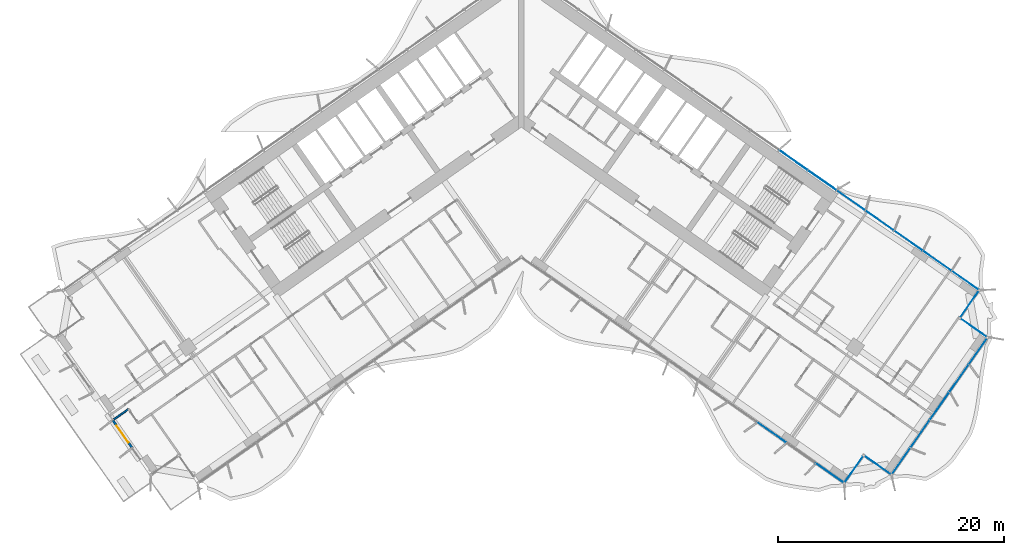
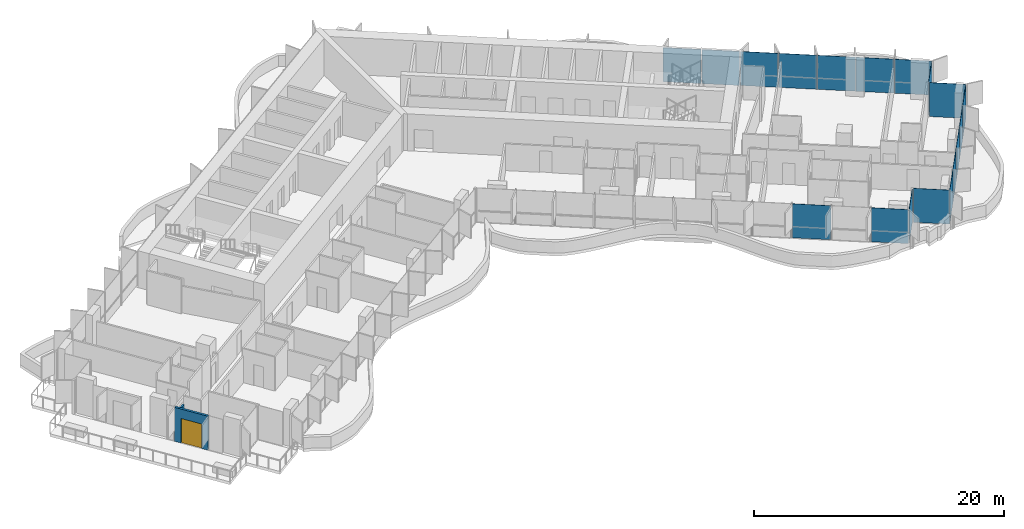
# One storey, part 12 of 25: 18 plates, 2 walls, 1 door, 1 opening, 2 elements without a shape of their own.
"""IFC4 building model written with IfcOpenShell, lengths in metres."""

from ifc_helpers import new_model, si_unit, direction, frame, frame_2d, origin, origin_2d, place, context, subcontext, project, spatial, rectangle, extrude, material, layer, layer_set, type_object, element, fill, aggregate, save


model = new_model("IFC4")

# Units and contexts
model_context = context("Model", 3, precision=1e-05, world=origin(), true_north=direction((0.0, 1.0)))
body_context = subcontext(model_context, "Body", "Model", "MODEL_VIEW")
ifc_project = project(units=[si_unit("LENGTHUNIT", "METRE"), si_unit("AREAUNIT", "SQUARE_METRE"), si_unit("VOLUMEUNIT", "CUBIC_METRE"), si_unit("PLANEANGLEUNIT", "RADIAN"), si_unit("MASSUNIT", "GRAM", prefix="KILO")], contexts=[model_context])

# Site, building, storey
site_placement = place(None, origin())
site = spatial("IfcSite", under=ifc_project, at=site_placement, CompositionType="ELEMENT")
building_placement = place(site_placement, origin())
building = spatial("IfcBuilding", under=site, at=building_placement, Name="Tel Ilan Convention Tower", CompositionType="ELEMENT")
storey_placement = place(building_placement, frame((0.0, 0.0, 97.699951171875)))
storey = spatial("IfcBuildingStorey", under=building, at=storey_placement, Name="L20", CompositionType="ELEMENT", Elevation=97.699951171875)

# Curtain wall, plates
ifc_material_1 = material(Name="Aluminium, bronze anodised", Category="aluminium")
curtain_wall_type_1 = type_object("IfcCurtainWallType", Name="CW1 UNITISED CURTAIN WALL, HOTEL TINTED GLASS", PredefinedType="NOTDEFINED", material=ifc_material_1)
curtain_wall_1_placement = place(storey_placement, origin())
curtain_wall_1 = element("IfcCurtainWall", 1, at=curtain_wall_1_placement, inside=storey, type_object=curtain_wall_type_1, Name="Curtain wall CW1-18.06", PredefinedType="NOTDEFINED")
ifc_material_2 = material(Name="Glass, bronze tinted, two-ply unitised", Category="glass")
ifc_layer_1 = layer(ifc_material_2, 0.028076171875)
ifc_layer_set_1 = layer_set([ifc_layer_1], Name="CW HOTEL GLASS PANEL 28")
plate_type_1 = type_object("IfcPlateType", Name="CW HOTEL GLASS PANEL 28", PredefinedType="CURTAIN_PANEL", material=ifc_layer_set_1)
plate_1_placement = place(storey_placement, frame((22.115478515625, -28.181396484375, 0.0), z_axis=(0.0, 0.0, 1.0), x_axis=(0.819152044289, -0.573576436351, 0.0)))
plate_1 = element("IfcPlate", 2, at=plate_1_placement, type_object=plate_type_1, Name="Glass panel", PredefinedType="CURTAIN_PANEL", context=body_context, shape_type="SweptSolid", body=[
    extrude(rectangle(XDim=3.10791015625, YDim=0.028076171875, at=origin_2d()), origin(), (0.0, 0.0, 1.0), 3.320068359375),
])
plate_2_placement = place(storey_placement, frame((27.26708984375, -31.78857421875, 0.0), z_axis=(0.0, 0.0, 1.0), x_axis=(0.819152044289, -0.573576436351, 0.0)))
plate_2 = element("IfcPlate", 3, at=plate_2_placement, type_object=plate_type_1, Name="Glass panel", PredefinedType="CURTAIN_PANEL", context=body_context, shape_type="SweptSolid", body=[
    extrude(rectangle(XDim=3.013916015625, YDim=0.028076171875, at=origin_2d()), origin(), (0.0, 0.0, 1.0), 3.320068359375),
])
plate_3_placement = place(storey_placement, frame((29.359375, -31.469482421875, 0.0), z_axis=(0.0, 0.0, 1.0), x_axis=(0.573576436351, 0.819152044289, 0.0)))
plate_3 = element("IfcPlate", 4, at=plate_3_placement, type_object=plate_type_1, Name="Glass panel", PredefinedType="CURTAIN_PANEL", context=body_context, shape_type="SweptSolid", body=[
    extrude(rectangle(XDim=2.875, YDim=0.028076171875, at=origin_2d()), origin(), (0.0, 0.0, 1.0), 3.320068359375),
])
plate_4_placement = place(storey_placement, frame((31.502197265625, -31.091796875, 0.0), z_axis=(0.0, 0.0, 1.0), x_axis=(0.819152044289, -0.573576436351, 0.0)))
plate_4 = element("IfcPlate", 5, at=plate_4_placement, type_object=plate_type_1, Name="Glass panel", PredefinedType="CURTAIN_PANEL", context=body_context, shape_type="SweptSolid", body=[
    extrude(rectangle(XDim=2.875, YDim=0.028076171875, at=origin_2d()), origin(), (0.0, 0.0, 1.0), 3.320068359375),
])
plate_5_placement = place(storey_placement, frame((33.529296875, -30.74462890625, 0.0), z_axis=(0.0, 0.0, 1.0), x_axis=(0.573576436351, 0.819152044289, 0.0)))
plate_5 = element("IfcPlate", 6, at=plate_5_placement, type_object=plate_type_1, Name="Glass panel", PredefinedType="CURTAIN_PANEL", context=body_context, shape_type="SweptSolid", body=[
    extrude(rectangle(XDim=2.845947265625, YDim=0.028076171875, at=origin_2d()), origin(), (0.0, 0.0, 1.0), 3.320068359375),
])
plate_6_placement = place(storey_placement, frame((35.22314453125, -28.32568359375, 0.0), z_axis=(0.0, 0.0, 1.0), x_axis=(0.573576436351, 0.819152044289, 0.0)))
plate_6 = element("IfcPlate", 7, at=plate_6_placement, type_object=plate_type_1, Name="Glass panel", PredefinedType="CURTAIN_PANEL", context=body_context, shape_type="SweptSolid", body=[
    extrude(rectangle(XDim=2.93994140625, YDim=0.028076171875, at=origin_2d()), origin(), (0.0, 0.0, 1.0), 3.320068359375),
])
plate_7_placement = place(storey_placement, frame((36.94384765625, -25.868408203125, 0.0), z_axis=(0.0, 0.0, 1.0), x_axis=(0.573576436351, 0.819152044289, 0.0)))
plate_7 = element("IfcPlate", 8, at=plate_7_placement, type_object=plate_type_1, Name="Glass panel", PredefinedType="CURTAIN_PANEL", context=body_context, shape_type="SweptSolid", body=[
    extrude(rectangle(XDim=2.93994140625, YDim=0.028076171875, at=origin_2d()), origin(), (0.0, 0.0, 1.0), 3.320068359375),
])
plate_8_placement = place(storey_placement, frame((38.66455078125, -23.410888671875, 0.0), z_axis=(0.0, 0.0, 1.0), x_axis=(0.573576436351, 0.819152044289, 0.0)))
plate_8 = element("IfcPlate", 9, at=plate_8_placement, type_object=plate_type_1, Name="Glass panel", PredefinedType="CURTAIN_PANEL", context=body_context, shape_type="SweptSolid", body=[
    extrude(rectangle(XDim=2.93994140625, YDim=0.028076171875, at=origin_2d()), origin(), (0.0, 0.0, 1.0), 3.320068359375),
])
plate_9_placement = place(storey_placement, frame((40.358154296875, -20.991943359375, 0.0), z_axis=(0.0, 0.0, 1.0), x_axis=(0.573576436351, 0.819152044289, 0.0)))
plate_9 = element("IfcPlate", 10, at=plate_9_placement, type_object=plate_type_1, Name="Glass panel", PredefinedType="CURTAIN_PANEL", context=body_context, shape_type="SweptSolid", body=[
    extrude(rectangle(XDim=2.845947265625, YDim=0.028076171875, at=origin_2d()), origin(), (0.0, 0.0, 1.0), 3.320068359375),
])
plate_10_placement = place(storey_placement, frame((39.990966796875, -18.96826171875, 0.0), z_axis=(0.0, 0.0, 1.0), x_axis=(-0.819152044289, 0.573576436351, 0.0)))
plate_10 = element("IfcPlate", 11, at=plate_10_placement, type_object=plate_type_1, Name="Glass panel", PredefinedType="CURTAIN_PANEL", context=body_context, shape_type="SweptSolid", body=[
    extrude(rectangle(XDim=2.875, YDim=0.028076171875, at=origin_2d()), origin(), (0.0, 0.0, 1.0), 3.320068359375),
])
plate_11_placement = place(storey_placement, frame((39.61328125, -16.82568359375, 0.0), z_axis=(0.0, 0.0, 1.0), x_axis=(0.573576436351, 0.819152044289, 0.0)))
plate_11 = element("IfcPlate", 12, at=plate_11_placement, type_object=plate_type_1, Name="Glass panel", PredefinedType="CURTAIN_PANEL", context=body_context, shape_type="SweptSolid", body=[
    extrude(rectangle(XDim=2.875, YDim=0.028076171875, at=origin_2d()), origin(), (0.0, 0.0, 1.0), 3.320068359375),
])
plate_12_placement = place(storey_placement, frame((39.2265625, -14.7705078125, 0.0), z_axis=(0.0, 0.0, 1.0), x_axis=(-0.819152044289, 0.573576436351, 0.0)))
plate_12 = element("IfcPlate", 13, at=plate_12_placement, type_object=plate_type_1, Name="Glass panel", PredefinedType="CURTAIN_PANEL", context=body_context, shape_type="SweptSolid", body=[
    extrude(rectangle(XDim=2.943115234375, YDim=0.028076171875, at=origin_2d()), origin(), (0.0, 0.0, 1.0), 3.320068359375),
])
plate_13_placement = place(storey_placement, frame((36.72802734375, -13.021240234375, 0.0), z_axis=(0.0, 0.0, 1.0), x_axis=(-0.819152044289, 0.573576436351, 0.0)))
plate_13 = element("IfcPlate", 14, at=plate_13_placement, type_object=plate_type_1, Name="Glass panel", PredefinedType="CURTAIN_PANEL", context=body_context, shape_type="SweptSolid", body=[
    extrude(rectangle(XDim=3.037109375, YDim=0.028076171875, at=origin_2d()), origin(), (0.0, 0.0, 1.0), 3.320068359375),
])
plate_14_placement = place(storey_placement, frame((34.191162109375, -11.244873046875, 0.0), z_axis=(0.0, 0.0, 1.0), x_axis=(-0.819152044289, 0.573576436351, 0.0)))
plate_14 = element("IfcPlate", 15, at=plate_14_placement, type_object=plate_type_1, Name="Glass panel", PredefinedType="CURTAIN_PANEL", context=body_context, shape_type="SweptSolid", body=[
    extrude(rectangle(XDim=3.037109375, YDim=0.028076171875, at=origin_2d()), origin(), (0.0, 0.0, 1.0), 3.320068359375),
])
plate_15_placement = place(storey_placement, frame((31.654296875, -9.468505859375, 0.0), z_axis=(0.0, 0.0, 1.0), x_axis=(-0.819152044289, 0.573576436351, 0.0)))
plate_15 = element("IfcPlate", 16, at=plate_15_placement, type_object=plate_type_1, Name="Glass panel", PredefinedType="CURTAIN_PANEL", context=body_context, shape_type="SweptSolid", body=[
    extrude(rectangle(XDim=3.037109375, YDim=0.028076171875, at=origin_2d()), origin(), (0.0, 0.0, 1.0), 3.320068359375),
])
plate_16_placement = place(storey_placement, frame((29.1171875, -7.692138671875, 0.0), z_axis=(0.0, 0.0, 1.0), x_axis=(-0.819152044289, 0.573576436351, 0.0)))
plate_16 = element("IfcPlate", 17, at=plate_16_placement, type_object=plate_type_1, Name="Glass panel", PredefinedType="CURTAIN_PANEL", context=body_context, shape_type="SweptSolid", body=[
    extrude(rectangle(XDim=3.037109375, YDim=0.028076171875, at=origin_2d()), origin(), (0.0, 0.0, 1.0), 3.320068359375),
])
aggregate(curtain_wall_1, [plate_1, plate_2, plate_3, plate_4, plate_5, plate_6, plate_7, plate_8, plate_9, plate_10, plate_11, plate_12, plate_13, plate_14, plate_15, plate_16])

ifc_material_3 = material(Name="Aluminium, bronze anodised", Category="aluminium")
curtain_wall_type_2 = type_object("IfcCurtainWallType", Name="CW2 STICK CURTAIN WALL, SPANDREL PANELS", PredefinedType="NOTDEFINED", material=ifc_material_3)
curtain_wall_2_placement = place(storey_placement, origin())
curtain_wall_2 = element("IfcCurtainWall", 18, at=curtain_wall_2_placement, inside=storey, type_object=curtain_wall_type_2, Name="Curtain wall CW2-18.01", PredefinedType="NOTDEFINED")
ifc_material_4 = material(Name="Aluminium composite panel, bronze anodised", Category="aluminium")
ifc_layer_2 = layer(ifc_material_4, 0.06005859375)
ifc_layer_set_2 = layer_set([ifc_layer_2], Name="CW SPANDREL PANEL 60")
plate_type_2 = type_object("IfcPlateType", Name="CW SPANDREL PANEL 60", PredefinedType="CURTAIN_PANEL", material=ifc_layer_set_2)
plate_17_placement = place(storey_placement, frame((26.580322265625, -5.915771484375, 0.0), z_axis=(0.0, 0.0, 1.0), x_axis=(-0.819152044289, 0.573576436351, 0.0)))
plate_17 = element("IfcPlate", 19, at=plate_17_placement, type_object=plate_type_2, Name="Spandrel panel", PredefinedType="CURTAIN_PANEL", context=body_context, shape_type="SweptSolid", body=[
    extrude(rectangle(XDim=3.037109375, YDim=0.06005859375, at=origin_2d()), origin(), (0.0, 0.0, 1.0), 3.320068359375),
])
plate_18_placement = place(storey_placement, frame((24.04345703125, -4.139404296875, 0.0), z_axis=(0.0, 0.0, 1.0), x_axis=(-0.819152044289, 0.573576436351, 0.0)))
plate_18 = element("IfcPlate", 20, at=plate_18_placement, type_object=plate_type_2, Name="Spandrel panel", PredefinedType="CURTAIN_PANEL", context=body_context, shape_type="SweptSolid", body=[
    extrude(rectangle(XDim=3.037109375, YDim=0.06005859375, at=origin_2d()), origin(), (0.0, 0.0, 1.0), 3.320068359375),
])
aggregate(curtain_wall_2, [plate_17, plate_18])

# Wall
ifc_material_5 = material(Name="Plasterboard on Steel Studs", Category="steel")
ifc_layer_3 = layer(ifc_material_5, 0.14990234375)
ifc_layer_set_3 = layer_set([ifc_layer_3], Name="Fire-rated Partition 150 EI 60")
wall_type_1 = type_object("IfcWallType", Name="Fire-rated Partition 150 EI 60", PredefinedType="PARTITIONING", material=ifc_layer_set_3)
wall_1_placement = place(storey_placement, frame((-34.69091796875, -26.121826171875, 0.0), z_axis=(0.0, 0.0, 1.0), x_axis=(-0.819059844958, -0.573708088123, 0.0)))
element("IfcWall", 21, at=wall_1_placement, inside=storey, type_object=wall_type_1, Name="Partition 036", PredefinedType="PARTITIONING", context=body_context, shape_type="SweptSolid", body=[
    extrude(rectangle(XDim=1.60009765625, YDim=0.14990234375, at=frame_2d((0.800048828125, 0.0))), origin(), (0.0, 0.0, 1.0), 2.5),
])

# Wall, opening, door
ifc_material_6 = material(Name="Aluminium composite cladding, bronze anodised on steel studs", Category="steel")
ifc_layer_4 = layer(ifc_material_6, 0.199951171875)
ifc_layer_set_4 = layer_set([ifc_layer_4], Name="TERRACE DOOR BAY WALL 200")
wall_type_2 = type_object("IfcWallType", Name="TERRACE DOOR BAY WALL 200", PredefinedType="SOLIDWALL", material=ifc_layer_set_4)
wall_2_placement = place(storey_placement, frame((-36.066162109375, -27.12158203125, 0.0), z_axis=(0.0, 0.0, 1.0), x_axis=(0.573584953252, -0.819146080625, 0.0)))
wall_2 = element("IfcWall", 22, at=wall_2_placement, inside=storey, type_object=wall_type_2, Name="Terrace door bay", PredefinedType="SOLIDWALL", context=body_context, shape_type="SweptSolid", body=[
    extrude(rectangle(XDim=2.93994140625, YDim=0.199951171875, at=frame_2d((1.469970703125, 0.0))), origin(), (0.0, 0.0, 1.0), 3.320068359375),
])
opening_placement = place(wall_2_placement, frame((0.570068359375, 0.0, 0.0)))
opening = element("IfcOpeningElement", 23, at=opening_placement, cuts=wall_2, Name="Opening T20.02", PredefinedType="OPENING", context=body_context, shape_type="SweptSolid", body=[
    extrude(rectangle(XDim=1.800048828125, YDim=2.39990234375, at=frame_2d((0.89990234375, 1.199951171875))), frame((0.0, 0.10986328125, 0.0), z_axis=(0.0, -1.0, 0.0), x_axis=(1.0, 0.0, 0.0)), (0.0, 0.0, 1.0), 0.219970703125),
])
ifc_material_7 = material(Name="Aluminium framed glazed door, bronze anodised", Category="aluminium")
door_type = type_object("IfcDoorType", Name="TERRACE DOUBLE DOOR 1800x2400", OperationType="NOTDEFINED", PredefinedType="DOOR", material=ifc_material_7)
door_placement = place(opening_placement, origin())
door = element("IfcDoor", 24, at=door_placement, inside=storey, type_object=door_type, Name="Terrace door", OperationType="DOUBLE_DOOR_DOUBLE_SWING", OverallHeight=2.39990234375, OverallWidth=1.800048828125, PredefinedType="DOOR", context=body_context, shape_type="SweptSolid", body=[
    extrude(rectangle(XDim=1.800048828125, YDim=2.39990234375, at=frame_2d((0.89990234375, 1.199951171875))), frame((0.0, 0.02490234375, 0.0), z_axis=(0.0, -1.0, 0.0), x_axis=(1.0, 0.0, 0.0)), (0.0, 0.0, 1.0), 0.050048828125),
])
fill(opening, door)

save(model, "model.ifc")
